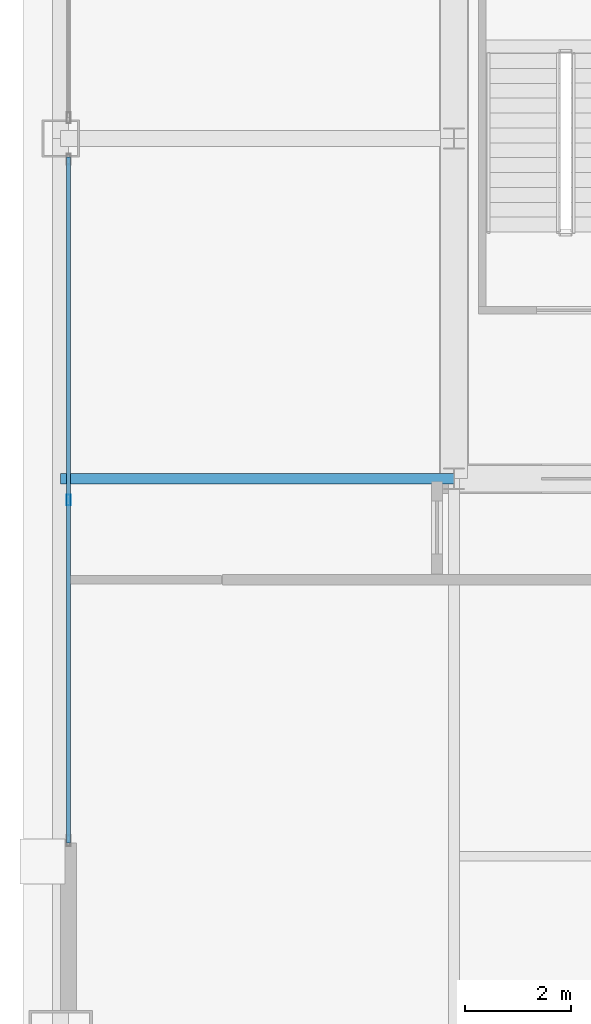
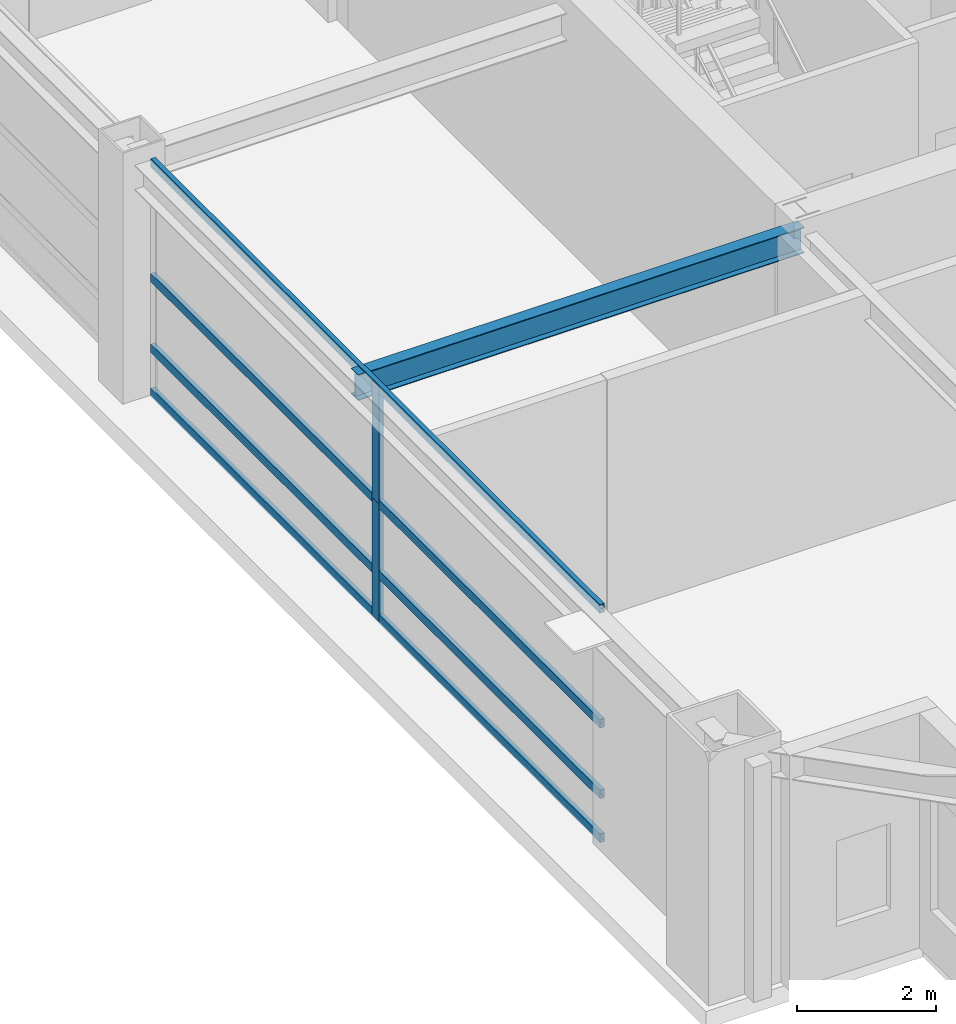
# One storey, part 6 of 26: 6 members, 1 beam, 1 element without a shape of its own.
"""IFC4 building model written with IfcOpenShell, lengths in metres."""

from ifc_helpers import new_model, si_unit, direction, frame, origin, origin_2d, place, context, subcontext, project, spatial, hollow_rectangle, i_section, extrude, source, transform, mapped, material, layer, layer_set, material_profile, profile_set, type_object, element, aggregate, save


model = new_model("IFC4")

# Units and contexts
model_context = context("Model", 3, precision=1e-05, world=origin(), true_north=direction((0.0, 1.0)))
body_context = subcontext(model_context, "Body", "Model", "MODEL_VIEW")
ifc_project = project(units=[si_unit("LENGTHUNIT", "METRE"), si_unit("AREAUNIT", "SQUARE_METRE"), si_unit("VOLUMEUNIT", "CUBIC_METRE"), si_unit("PLANEANGLEUNIT", "RADIAN"), si_unit("MASSUNIT", "GRAM", prefix="KILO"), si_unit("THERMODYNAMICTEMPERATUREUNIT", "KELVIN"), si_unit("POWERUNIT", "WATT")], contexts=[model_context])

# Site, building, storey
site_placement = place(None, origin())
site = spatial("IfcSite", under=ifc_project, at=site_placement, CompositionType="ELEMENT")
building_placement = place(site_placement, origin())
building = spatial("IfcBuilding", under=site, at=building_placement, Name="Yuzanri Waterfront Tower", CompositionType="ELEMENT")
storey_placement = place(building_placement, frame((0.0, 0.0, 259.10009765625)))
storey = spatial("IfcBuildingStorey", under=building, at=storey_placement, Name="L69", CompositionType="ELEMENT", Elevation=259.10009765625)

# Beam
ifc_material_1 = material(Name="Steel Q355B", Category="steel")
ifc_material_profile_1 = material_profile(ifc_material_1, i_section(OverallWidth=0.199951171875, OverallDepth=0.449951171875, WebThickness=0.009033203125, FlangeThickness=0.013916015625, at=origin_2d()), Name="HN 450x200x9x14")
ifc_profile_set_1 = profile_set([ifc_material_profile_1], Name="Steel Q355B")
beam_type = type_object("IfcBeamType", Name="Secondary Floor Beam Q355B HN 450x200", PredefinedType="BEAM", material=ifc_profile_set_1)
shared_shape_1 = source(origin(), body_context, "Body", "SweptSolid", [
    extrude(i_section(OverallWidth=0.199951171875, OverallDepth=0.449951171875, WebThickness=0.009033203125, FlangeThickness=0.013916015625, at=origin_2d()), origin(), (0.0, 0.0, 1.0), 7.400146484375),
])
beam_placement = place(storey_placement, frame((23.800048828125, 19.39990234375, 3.89501953125), z_axis=(-1.0, 0.0, 0.0), x_axis=(0.0, -1.0, 0.0)))
element("IfcBeam", 1, at=beam_placement, inside=storey, type_object=beam_type, Name="L69 West-South Core Line Beam", PredefinedType="BEAM", context=body_context, shape_type="MappedRepresentation", body=[
    mapped(shared_shape_1, transform((0.0, 0.0, 0.0), scale=1.0)),
])

# Curtain wall, members
ifc_material_2 = material(Name="Anodized Architectural Bronze", Category="metal")
ifc_layer = layer(ifc_material_2, 0.159912109375)
ifc_layer_set = layer_set([ifc_layer], Name="Anodized Architectural Bronze")
curtain_wall_type = type_object("IfcCurtainWallType", Name="Anodized Bronze Sky-Lobby Triple-Glazed Feature Curtain Wall 7500", PredefinedType="NOTDEFINED", material=ifc_layer_set)
curtain_wall_placement = place(storey_placement, origin())
curtain_wall = element("IfcCurtainWall", 2, at=curtain_wall_placement, inside=storey, type_object=curtain_wall_type, Name="L69 Curtain Wall CW-L69-WL", PredefinedType="NOTDEFINED")
ifc_material_3 = material(Name="Anodized Architectural Bronze", Category="metal")
ifc_material_profile_2 = material_profile(ifc_material_3, hollow_rectangle(XDim=0.074951171875, YDim=0.199951171875, WallThickness=0.00390625, at=origin_2d()), Name="CWM 75x200")
ifc_profile_set_2 = profile_set([ifc_material_profile_2], Name="Anodized Architectural Bronze")
member_type_1 = type_object("IfcMemberType", Name="Anodized Bronze Primary Curtain-Wall Mullion 75x200", PredefinedType="MULLION", material=ifc_profile_set_2)
shared_shape_2 = source(origin(), body_context, "Body", "SweptSolid", [
    extrude(hollow_rectangle(XDim=0.074951171875, YDim=0.199951171875, WallThickness=0.00390625, at=origin_2d()), origin(), (0.0, 0.0, 1.0), 2.057861328125),
])
member_1_placement = place(storey_placement, frame((16.550048828125, 19.0, 0.0), z_axis=(0.0, 0.0, 1.0), x_axis=(1.0, 0.0, 0.0)))
member_1 = element("IfcMember", 3, at=member_1_placement, type_object=member_type_1, Name="CW-L69-WL Lower Mullion 01", PredefinedType="MULLION", context=body_context, shape_type="MappedRepresentation", body=[
    mapped(shared_shape_2, transform((0.0, 0.0, 0.0), scale=1.0)),
])
member_2_placement = place(storey_placement, frame((16.550048828125, 19.0, 2.06201171875), z_axis=(0.0, 0.0, 1.0), x_axis=(1.0, 0.0, 0.0)))
member_2 = element("IfcMember", 4, at=member_2_placement, type_object=member_type_1, Name="CW-L69-WL Upper Mullion 01", PredefinedType="MULLION", context=body_context, shape_type="MappedRepresentation", body=[
    mapped(shared_shape_2, transform((0.0, 0.0, 0.0), scale=1.0)),
])
ifc_material_4 = material(Name="Anodized Architectural Bronze", Category="metal")
ifc_material_profile_3 = material_profile(ifc_material_4, hollow_rectangle(XDim=0.074951171875, YDim=0.14990234375, WallThickness=0.00390625, at=origin_2d()), Name="CWT 75x150")
ifc_profile_set_3 = profile_set([ifc_material_profile_3], Name="Anodized Architectural Bronze")
member_type_2 = type_object("IfcMemberType", Name="Anodized Bronze Primary Curtain-Wall Transom 75x150", PredefinedType="USERDEFINED", material=ifc_profile_set_3)
shared_shape_3 = source(origin(), body_context, "Body", "SweptSolid", [
    extrude(hollow_rectangle(XDim=0.074951171875, YDim=0.14990234375, WallThickness=0.00390625, at=origin_2d()), origin(), (0.0, 0.0, 1.0), 12.89990234375),
])
member_3_placement = place(storey_placement, frame((16.550048828125, 12.550048828125, 0.0498046875), z_axis=(0.0, 1.0, 0.0), x_axis=(-1.0, 0.0, 0.0)))
member_3 = element("IfcMember", 5, at=member_3_placement, type_object=member_type_2, Name="CW-L69-WL Transom 1", ObjectType="TRANSOM", PredefinedType="USERDEFINED", context=body_context, shape_type="MappedRepresentation", body=[
    mapped(shared_shape_3, transform((0.0, 0.0, 0.0), scale=1.0)),
])
member_4_placement = place(storey_placement, frame((16.550048828125, 12.550048828125, 0.81982421875), z_axis=(0.0, 1.0, 0.0), x_axis=(-1.0, 0.0, 0.0)))
member_4 = element("IfcMember", 6, at=member_4_placement, type_object=member_type_2, Name="CW-L69-WL Transom 2", ObjectType="TRANSOM", PredefinedType="USERDEFINED", context=body_context, shape_type="MappedRepresentation", body=[
    mapped(shared_shape_3, transform((0.0, 0.0, 0.0), scale=1.0)),
])
member_5_placement = place(storey_placement, frame((16.550048828125, 12.550048828125, 2.059814453125), z_axis=(0.0, 1.0, 0.0), x_axis=(-1.0, 0.0, 0.0)))
member_5 = element("IfcMember", 7, at=member_5_placement, type_object=member_type_2, Name="CW-L69-WL Transom 3", ObjectType="TRANSOM", PredefinedType="USERDEFINED", context=body_context, shape_type="MappedRepresentation", body=[
    mapped(shared_shape_3, transform((0.0, 0.0, 0.0), scale=1.0)),
])
member_6_placement = place(storey_placement, frame((16.550048828125, 12.550048828125, 4.06982421875), z_axis=(0.0, 1.0, 0.0), x_axis=(-1.0, 0.0, 0.0)))
member_6 = element("IfcMember", 8, at=member_6_placement, type_object=member_type_2, Name="CW-L69-WL Transom 4", ObjectType="TRANSOM", PredefinedType="USERDEFINED", context=body_context, shape_type="MappedRepresentation", body=[
    mapped(shared_shape_3, transform((0.0, 0.0, 0.0), scale=1.0)),
])
aggregate(curtain_wall, [member_1, member_2, member_3, member_4, member_5, member_6])

save(model, "model.ifc")
